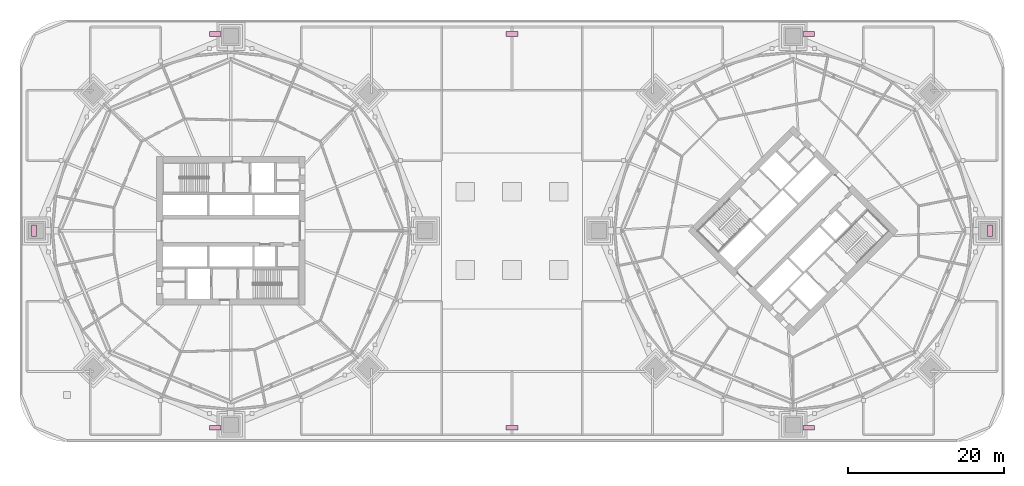
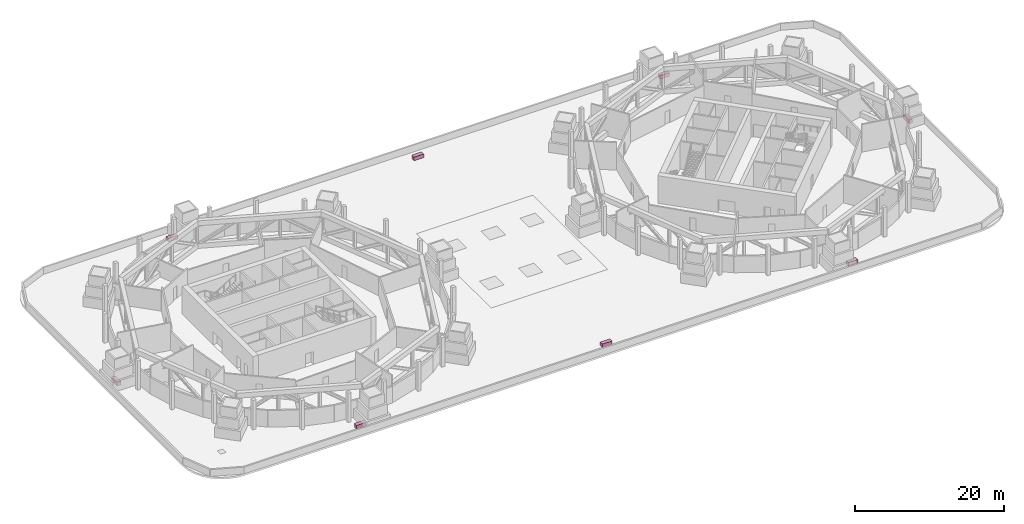
# One storey, part 21 of 21: 8 furniture elements.
"""IFC4 building model written with IfcOpenShell, lengths in metres."""

from ifc_helpers import new_model, si_unit, direction, frame, origin, origin_2d, place, context, subcontext, project, spatial, rectangle, extrude, material, type_object, element, save


model = new_model("IFC4")

# Units and contexts
model_context = context("Model", 3, precision=1e-05, world=origin(), true_north=direction((0.0, 1.0)))
body_context = subcontext(model_context, "Body", "Model", "MODEL_VIEW")
ifc_project = project(units=[si_unit("LENGTHUNIT", "METRE"), si_unit("AREAUNIT", "SQUARE_METRE"), si_unit("VOLUMEUNIT", "CUBIC_METRE"), si_unit("PLANEANGLEUNIT", "RADIAN"), si_unit("MASSUNIT", "GRAM", prefix="KILO")], contexts=[model_context])

# Site, building, storey
site_placement = place(None, origin())
site = spatial("IfcSite", under=ifc_project, at=site_placement, CompositionType="ELEMENT")
building_placement = place(site_placement, origin())
building = spatial("IfcBuilding", under=site, at=building_placement, Name="Ogive Gate Towers", CompositionType="ELEMENT")
storey_placement = place(building_placement, frame((0.0, 0.0, 27.60009765625)))
storey = spatial("IfcBuildingStorey", under=building, at=storey_placement, Name="L05", CompositionType="ELEMENT", Elevation=27.60009765625)

# Furniture
ifc_material = material(Name="Precast concrete C40/50", Category="concrete")
furniture_type = type_object("IfcFurnitureType", Name="Planter 1500 x 600", AssemblyPlace="NOTDEFINED", PredefinedType="USERDEFINED", material=ifc_material)
for number, where, z_axis, x_axis, name in (
    (1, (61.199951171875, 0.0, -0.000244140625), (0.0, 0.0, 1.0), (0.0, 1.0, 0.0), "Planter"),
    (2, (38.0, 25.199951171875, -0.000244140625), (0.0, 0.0, 1.0), (-1.0, 0.0, 0.0), "Planter"),
    (3, (0.0, 25.199951171875, -0.000244140625), (0.0, 0.0, 1.0), (-1.0, 0.0, 0.0), "Planter"),
    (4, (-38.0, 25.199951171875, -0.000244140625), (0.0, 0.0, 1.0), (-1.0, 0.0, 0.0), "Planter"),
    (5, (-61.199951171875, 0.0, -0.000244140625), (0.0, 0.0, 1.0), (0.0, -1.0, 0.0), "Planter"),
    (6, (-38.0, -25.199951171875, -0.000244140625), (0.0, 0.0, 1.0), (1.0, 0.0, 0.0), "Planter"),
    (7, (0.0, -25.199951171875, -0.000244140625), (0.0, 0.0, 1.0), (1.0, 0.0, 0.0), "Planter"),
    (8, (38.0, -25.199951171875, -0.000244140625), (0.0, 0.0, 1.0), (1.0, 0.0, 0.0), "Planter"),
):
    element("IfcFurniture", number, at=place(storey_placement, frame(where, z_axis=z_axis, x_axis=x_axis)), inside=storey, type_object=furniture_type, Name=name, ObjectType="PLANTER", PredefinedType="USERDEFINED", context=body_context, shape_type="SweptSolid", body=[
        extrude(rectangle(XDim=1.5, YDim=0.60009765625, at=origin_2d()), origin(), (0.0, 0.0, 1.0), 0.60009765625),
    ])

save(model, "model.ifc")
